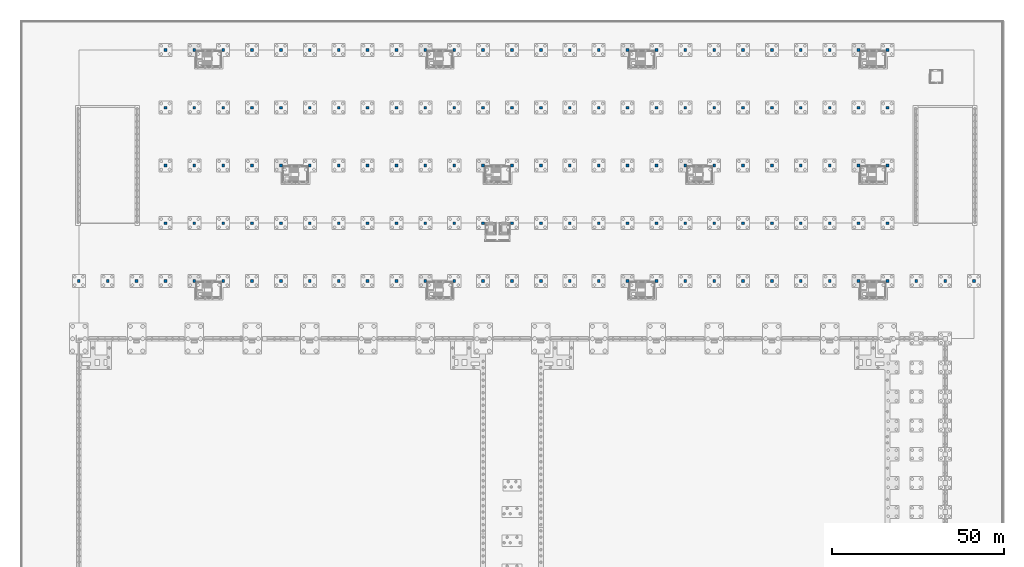
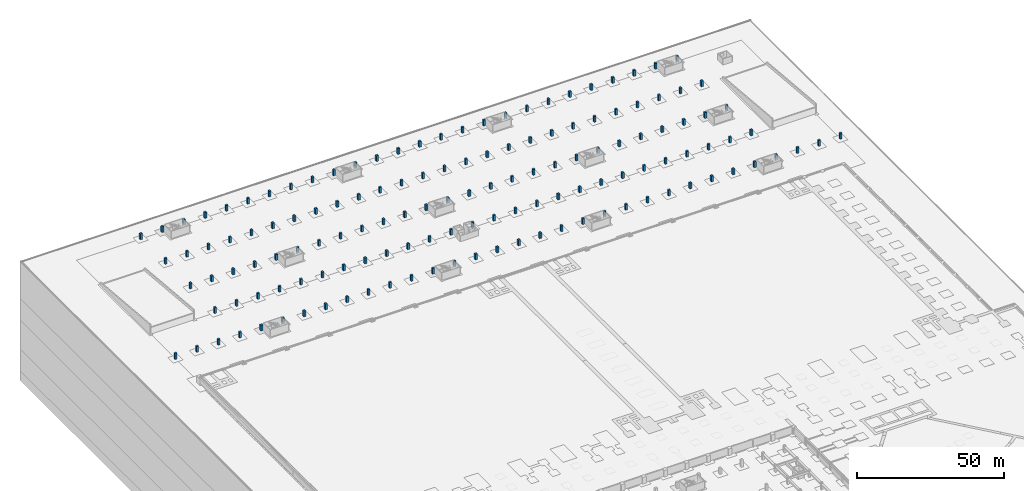
# One storey, part 27 of 67: 136 columns.
"""IFC4 building model written with IfcOpenShell, lengths in metres."""

import ifcopenshell
import ifcopenshell.guid

model = None  # the IFC model being written
_history = None  # IfcOwnerHistory: only IFC2X3 demands one
_inside = {}  # id of a spatial element -> (the spatial element, [elements in it])
_under = {}  # id of a project, library or spatial element -> (it, [spatial elements below it])
_declared = {}  # id of a project -> (the project, [libraries it declares])
_typed = {}  # id of a type object -> (the type object, [elements of that type])
_made_of = {}  # id of a material, layer set ... -> (it, [elements and type objects made of it])


def new_model(schema):
    """Start an empty IFC model of exactly this schema.

    Asked for "IFC4X3", IfcOpenShell would pick the latest addendum, in which some entities
    have other attributes; the version numbers below select the first issue.
    IFC2X3 requires an IfcOwnerHistory on every rooted entity: one is made here for all.
    """
    global model, _history
    if schema == "IFC4X3":
        model = ifcopenshell.file(schema_version=(4, 3, 0, 0))
    else:
        model = ifcopenshell.file(schema=schema)
    _inside.clear()
    _under.clear()
    _declared.clear()
    _typed.clear()
    _made_of.clear()
    _history = None
    if model.schema == "IFC2X3":
        org = make("IfcOrganization", Name="unknown")
        user = make(
            "IfcPersonAndOrganization",
            ThePerson=make("IfcPerson", FamilyName="unknown"),
            TheOrganization=org,
        )
        app = make(
            "IfcApplication",
            ApplicationDeveloper=org,
            Version="unknown",
            ApplicationFullName="unknown",
            ApplicationIdentifier="unknown",
        )
        _history = make(
            "IfcOwnerHistory",
            OwningUser=user,
            OwningApplication=app,
            ChangeAction="ADDED",
            CreationDate=0,
        )
    return model


def make(cls, **values):
    """One entity of the class cls with the attributes given. An attribute that is None is left unset."""
    return model.create_entity(
        cls, **{name: value for name, value in values.items() if value is not None}
    )


def rooted(cls, **values):
    """An entity with a GlobalId (a new one), such as an element, a storey or a relation."""
    return make(cls, GlobalId=ifcopenshell.guid.new(), OwnerHistory=_history, **values)


def si_unit(unit_type, name, prefix=None):
    """IfcSIUnit, for example si_unit("LENGTHUNIT", "METRE", prefix="MILLI")."""
    return make("IfcSIUnit", UnitType=unit_type, Prefix=prefix, Name=name)


def assignment(units):
    """IfcUnitAssignment: the units of a project."""
    return None if units is None else make("IfcUnitAssignment", Units=units)


def point(xyz):
    """IfcCartesianPoint."""
    return None if xyz is None else make("IfcCartesianPoint", Coordinates=xyz)


def direction(xyz):
    """IfcDirection."""
    return None if xyz is None else make("IfcDirection", DirectionRatios=xyz)


def frame(location, z_axis=None, x_axis=None):
    """IfcAxis2Placement3D, a coordinate frame: its origin and axes. An axis left out is left unset."""
    return make(
        "IfcAxis2Placement3D",
        Location=point(location),
        Axis=direction(z_axis),
        RefDirection=direction(x_axis),
    )


def frame_2d(location, x_axis=None):
    """IfcAxis2Placement2D, a coordinate frame in the plane: its origin and x axis."""
    return make(
        "IfcAxis2Placement2D", Location=point(location), RefDirection=direction(x_axis)
    )


def origin():
    """The frame at (0, 0, 0) with its axes left unset."""
    return frame((0.0, 0.0, 0.0))


def origin_2d():
    """The frame at (0, 0) in the plane with its x axis left unset."""
    return frame_2d((0.0, 0.0))


def place(relative_to, where):
    """IfcLocalPlacement: puts the frame where relative to a parent placement (None: the world)."""
    return make(
        "IfcLocalPlacement", PlacementRelTo=relative_to, RelativePlacement=where
    )


def context(
    kind, dimensions, precision=None, world=None, true_north=None, identifier=None
):
    """IfcGeometricRepresentationContext, for example the 3D "Model" context."""
    return make(
        "IfcGeometricRepresentationContext",
        ContextIdentifier=identifier,
        ContextType=kind,
        CoordinateSpaceDimension=dimensions,
        Precision=precision,
        WorldCoordinateSystem=world,
        TrueNorth=true_north,
    )


def subcontext(parent, identifier, kind, view, scale=None):
    """IfcGeometricRepresentationSubContext, for example "Body" below "Model"."""
    return make(
        "IfcGeometricRepresentationSubContext",
        ContextIdentifier=identifier,
        ContextType=kind,
        ParentContext=parent,
        TargetScale=scale,
        TargetView=view,
    )


def project(units=None, contexts=None):
    """IfcProject with its units and contexts."""
    return rooted(
        "IfcProject",
        Name="project",
        RepresentationContexts=contexts,
        UnitsInContext=assignment(units),
    )


def spatial(cls, under=None, at=None, **own):
    """A site, building, storey or space (cls), placed at a placement, below another one or the project."""
    s = rooted(cls, ObjectPlacement=at, **own)
    if under is not None:
        _under.setdefault(under.id(), (under, []))[1].append(s)
    return s


def profile(cls, at=None, kind="AREA", **sizes):
    """A parametric profile (cls). Its sizes go by their IFC names, for example OverallWidth=200.0."""
    return make(cls, ProfileType=kind, Position=at, **sizes)


def rectangle(**sizes):
    """IfcRectangleProfileDef."""
    return profile("IfcRectangleProfileDef", **sizes)


def extrude(swept, where, along, depth):
    """IfcExtrudedAreaSolid: the profile swept, set in the frame where, extruded along a direction by depth."""
    return make(
        "IfcExtrudedAreaSolid",
        SweptArea=swept,
        Position=where,
        ExtrudedDirection=direction(along),
        Depth=depth,
    )


def shape(context_of_items, identifier, shape_type, items):
    """IfcShapeRepresentation: the items that make up one representation, for example the "Body"."""
    return make(
        "IfcShapeRepresentation",
        ContextOfItems=context_of_items,
        RepresentationIdentifier=identifier,
        RepresentationType=shape_type,
        Items=items,
    )


def material(Name=None, Category=None):
    """IfcMaterial."""
    return make("IfcMaterial", Name=Name, Category=Category)


def material_profile(
    of_material, cross_section, Name=None, Category=None, Priority=None
):
    """IfcMaterialProfile: a cross section and its material."""
    return make(
        "IfcMaterialProfile",
        Name=Name,
        Material=of_material,
        Profile=cross_section,
        Priority=Priority,
        Category=Category,
    )


def profile_set(profiles, Name=None, composite=None):
    """IfcMaterialProfileSet."""
    return make(
        "IfcMaterialProfileSet",
        Name=Name,
        MaterialProfiles=profiles,
        CompositeProfile=composite,
    )


def made_of(thing, what):
    """Note that an element or type object is made of a material, layer set ...; save() writes the relation."""
    if what is not None:
        _made_of.setdefault(what.id(), (what, []))[1].append(thing)
    return thing


def type_object(cls, material=None, **own):
    """A type object (cls), such as IfcWallType, which elements share."""
    return made_of(rooted(cls, **own), material)


def element(
    cls,
    number,
    at=None,
    inside=None,
    cuts=None,
    type_object=None,
    material=None,
    context=None,
    identifier="Body",
    shape_type=None,
    held_by="IfcProductDefinitionShape",
    body=None,
    shapes=None,
    **own,
):
    """One element of the class cls, such as IfcWall. Its Tag is "e" and its number.

    at: its placement. inside: the storey or other place that contains it. cuts: it is an
    opening in that element (IfcRelVoidsElement). A single representation is given by context,
    identifier, shape_type and body (its items); several are given by shapes. held_by: the class
    of the entity that holds the representations. save() writes the other relations.
    """
    e = rooted(cls, Tag="e%d" % number, ObjectPlacement=at, **own)
    if body is not None:
        shapes = [shape(context, identifier, shape_type, body)]
    if shapes is not None:
        e.Representation = make(held_by, Representations=shapes)
    if inside is not None:
        _inside.setdefault(inside.id(), (inside, []))[1].append(e)
    if cuts is not None:
        rooted(
            "IfcRelVoidsElement", RelatingBuildingElement=cuts, RelatedOpeningElement=e
        )
    if type_object is not None:
        _typed.setdefault(type_object.id(), (type_object, []))[1].append(e)
    return made_of(e, material)


def aggregate(whole, parts):
    """IfcRelAggregates: a whole, such as a stair, and the parts it consists of."""
    return rooted("IfcRelAggregates", RelatingObject=whole, RelatedObjects=parts)


def save(model, path):
    """Write the relations noted so far, then the file.

    IfcRelAggregates (storeys below a building ...), IfcRelContainedInSpatialStructure (elements
    in a storey), IfcRelDefinesByType, IfcRelAssociatesMaterial and IfcRelDeclares: one each for
    every whole, place, type object, material and project.
    """
    for whole, parts in _under.values():
        aggregate(whole, parts)
    for where, things in _inside.values():
        rooted(
            "IfcRelContainedInSpatialStructure",
            RelatedElements=things,
            RelatingStructure=where,
        )
    for kind, things in _typed.values():
        rooted("IfcRelDefinesByType", RelatedObjects=things, RelatingType=kind)
    for what, things in _made_of.values():
        rooted("IfcRelAssociatesMaterial", RelatedObjects=things, RelatingMaterial=what)
    for by, libraries in _declared.values():
        rooted("IfcRelDeclares", RelatingContext=by, RelatedDefinitions=libraries)
    model.write(path)


model = new_model("IFC4")

# Units and contexts
model_context = context("Model", 3, precision=1e-05, world=origin(), true_north=direction((0.0, 1.0)))
body_context = subcontext(model_context, "Body", "Model", "MODEL_VIEW")
ifc_project = project(units=[si_unit("LENGTHUNIT", "METRE"), si_unit("AREAUNIT", "SQUARE_METRE"), si_unit("VOLUMEUNIT", "CUBIC_METRE"), si_unit("PLANEANGLEUNIT", "RADIAN"), si_unit("MASSUNIT", "GRAM", prefix="KILO")], contexts=[model_context])

# Site, building, storey
site_placement = place(None, origin())
site = spatial("IfcSite", under=ifc_project, at=site_placement, CompositionType="ELEMENT")
building_placement = place(site_placement, origin())
building = spatial("IfcBuilding", under=site, at=building_placement, Name="Rain Tree Exposition and Congress Centre", CompositionType="ELEMENT")
storey_placement = place(building_placement, frame((0.0, 0.0, -3.0)))
storey = spatial("IfcBuildingStorey", under=building, at=storey_placement, Name="B1", CompositionType="ELEMENT", Elevation=-3.0)

# Columns
ifc_material = material(Name="Precast concrete C50/60", Category="concrete")
ifc_material_profile = material_profile(ifc_material, rectangle(XDim=0.800048828125, YDim=0.800048828125, at=origin_2d()), Name="RC 800x800")
ifc_profile_set = profile_set([ifc_material_profile], Name="Precast concrete C50/60")
column_type = type_object("IfcColumnType", Name="Precast column 800x800", PredefinedType="COLUMN", material=ifc_profile_set)
for number, where, z_axis, x_axis, name in (
    (1, (8.39990234375, 218.39990234375, 0.0), (0.0, 0.0, 1.0), (1.0, 0.0, 0.0), "Column N001"),
    (2, (16.800048828125, 218.39990234375, 0.0), (0.0, 0.0, 1.0), (1.0, 0.0, 0.0), "Column N002"),
    (3, (25.199951171875, 218.39990234375, 0.0), (0.0, 0.0, 1.0), (1.0, 0.0, 0.0), "Column N003"),
    (4, (33.60009765625, 218.39990234375, 0.0), (0.0, 0.0, 1.0), (1.0, 0.0, 0.0), "Column N004"),
    (5, (42.0, 218.39990234375, 0.0), (0.0, 0.0, 1.0), (1.0, 0.0, 0.0), "Column N005"),
    (6, (50.39990234375, 218.39990234375, 0.0), (0.0, 0.0, 1.0), (1.0, 0.0, 0.0), "Column N006"),
    (7, (58.800048828125, 218.39990234375, 0.0), (0.0, 0.0, 1.0), (1.0, 0.0, 0.0), "Column N007"),
    (8, (67.199951171875, 218.39990234375, 0.0), (0.0, 0.0, 1.0), (1.0, 0.0, 0.0), "Column N008"),
    (9, (75.60009765625, 218.39990234375, 0.0), (0.0, 0.0, 1.0), (1.0, 0.0, 0.0), "Column N009"),
    (10, (84.0, 218.39990234375, 0.0), (0.0, 0.0, 1.0), (1.0, 0.0, 0.0), "Column N010"),
    (11, (92.39990234375, 218.39990234375, 0.0), (0.0, 0.0, 1.0), (1.0, 0.0, 0.0), "Column N011"),
    (12, (100.800048828125, 218.39990234375, 0.0), (0.0, 0.0, 1.0), (1.0, 0.0, 0.0), "Column N012"),
    (13, (109.199951171875, 218.39990234375, 0.0), (0.0, 0.0, 1.0), (1.0, 0.0, 0.0), "Column N013"),
    (14, (117.60009765625, 218.39990234375, 0.0), (0.0, 0.0, 1.0), (1.0, 0.0, 0.0), "Column N014"),
    (15, (126.0, 218.39990234375, 0.0), (0.0, 0.0, 1.0), (1.0, 0.0, 0.0), "Column N015"),
    (16, (134.39990234375, 218.39990234375, 0.0), (0.0, 0.0, 1.0), (1.0, 0.0, 0.0), "Column N016"),
    (17, (142.800048828125, 218.39990234375, 0.0), (0.0, 0.0, 1.0), (1.0, 0.0, 0.0), "Column N017"),
    (18, (151.199951171875, 218.39990234375, 0.0), (0.0, 0.0, 1.0), (1.0, 0.0, 0.0), "Column N018"),
    (19, (159.60009765625, 218.39990234375, 0.0), (0.0, 0.0, 1.0), (1.0, 0.0, 0.0), "Column N019"),
    (20, (168.0, 218.39990234375, 0.0), (0.0, 0.0, 1.0), (1.0, 0.0, 0.0), "Column N020"),
    (21, (176.39990234375, 218.39990234375, 0.0), (0.0, 0.0, 1.0), (1.0, 0.0, 0.0), "Column N021"),
    (22, (184.800048828125, 218.39990234375, 0.0), (0.0, 0.0, 1.0), (1.0, 0.0, 0.0), "Column N022"),
    (23, (193.199951171875, 218.39990234375, 0.0), (0.0, 0.0, 1.0), (1.0, 0.0, 0.0), "Column N023"),
    (24, (201.60009765625, 218.39990234375, 0.0), (0.0, 0.0, 1.0), (1.0, 0.0, 0.0), "Column N024"),
    (25, (210.0, 218.39990234375, 0.0), (0.0, 0.0, 1.0), (1.0, 0.0, 0.0), "Column N025"),
    (26, (218.39990234375, 218.39990234375, 0.0), (0.0, 0.0, 1.0), (1.0, 0.0, 0.0), "Column N026"),
    (27, (226.800048828125, 218.39990234375, 0.0), (0.0, 0.0, 1.0), (1.0, 0.0, 0.0), "Column N027"),
    (28, (235.199951171875, 218.39990234375, 0.0), (0.0, 0.0, 1.0), (1.0, 0.0, 0.0), "Column N028"),
    (29, (243.60009765625, 218.39990234375, 0.0), (0.0, 0.0, 1.0), (1.0, 0.0, 0.0), "Column N029"),
    (30, (252.0, 218.39990234375, 0.0), (0.0, 0.0, 1.0), (1.0, 0.0, 0.0), "Column N030"),
    (31, (260.39990234375, 218.39990234375, 0.0), (0.0, 0.0, 1.0), (1.0, 0.0, 0.0), "Column N031"),
    (32, (268.800048828125, 218.39990234375, 0.0), (0.0, 0.0, 1.0), (1.0, 0.0, 0.0), "Column N032"),
    (33, (33.60009765625, 235.199951171875, 0.0), (0.0, 0.0, 1.0), (1.0, 0.0, 0.0), "Column N033"),
    (34, (42.0, 235.199951171875, 0.0), (0.0, 0.0, 1.0), (1.0, 0.0, 0.0), "Column N034"),
    (35, (50.39990234375, 235.199951171875, 0.0), (0.0, 0.0, 1.0), (1.0, 0.0, 0.0), "Column N035"),
    (36, (58.800048828125, 235.199951171875, 0.0), (0.0, 0.0, 1.0), (1.0, 0.0, 0.0), "Column N036"),
    (37, (67.199951171875, 235.199951171875, 0.0), (0.0, 0.0, 1.0), (1.0, 0.0, 0.0), "Column N037"),
    (38, (75.60009765625, 235.199951171875, 0.0), (0.0, 0.0, 1.0), (1.0, 0.0, 0.0), "Column N038"),
    (39, (84.0, 235.199951171875, 0.0), (0.0, 0.0, 1.0), (1.0, 0.0, 0.0), "Column N039"),
    (40, (92.39990234375, 235.199951171875, 0.0), (0.0, 0.0, 1.0), (1.0, 0.0, 0.0), "Column N040"),
    (41, (100.800048828125, 235.199951171875, 0.0), (0.0, 0.0, 1.0), (1.0, 0.0, 0.0), "Column N041"),
    (42, (109.199951171875, 235.199951171875, 0.0), (0.0, 0.0, 1.0), (1.0, 0.0, 0.0), "Column N042"),
    (43, (117.60009765625, 235.199951171875, 0.0), (0.0, 0.0, 1.0), (1.0, 0.0, 0.0), "Column N043"),
    (44, (126.0, 235.199951171875, 0.0), (0.0, 0.0, 1.0), (1.0, 0.0, 0.0), "Column N044"),
    (45, (134.39990234375, 235.199951171875, 0.0), (0.0, 0.0, 1.0), (1.0, 0.0, 0.0), "Column N045"),
    (46, (142.800048828125, 235.199951171875, 0.0), (0.0, 0.0, 1.0), (1.0, 0.0, 0.0), "Column N046"),
    (47, (151.199951171875, 235.199951171875, 0.0), (0.0, 0.0, 1.0), (1.0, 0.0, 0.0), "Column N047"),
    (48, (159.60009765625, 235.199951171875, 0.0), (0.0, 0.0, 1.0), (1.0, 0.0, 0.0), "Column N048"),
    (49, (168.0, 235.199951171875, 0.0), (0.0, 0.0, 1.0), (1.0, 0.0, 0.0), "Column N049"),
    (50, (176.39990234375, 235.199951171875, 0.0), (0.0, 0.0, 1.0), (1.0, 0.0, 0.0), "Column N050"),
    (51, (184.800048828125, 235.199951171875, 0.0), (0.0, 0.0, 1.0), (1.0, 0.0, 0.0), "Column N051"),
    (52, (193.199951171875, 235.199951171875, 0.0), (0.0, 0.0, 1.0), (1.0, 0.0, 0.0), "Column N052"),
    (53, (201.60009765625, 235.199951171875, 0.0), (0.0, 0.0, 1.0), (1.0, 0.0, 0.0), "Column N053"),
    (54, (210.0, 235.199951171875, 0.0), (0.0, 0.0, 1.0), (1.0, 0.0, 0.0), "Column N054"),
    (55, (218.39990234375, 235.199951171875, 0.0), (0.0, 0.0, 1.0), (1.0, 0.0, 0.0), "Column N055"),
    (56, (226.800048828125, 235.199951171875, 0.0), (0.0, 0.0, 1.0), (1.0, 0.0, 0.0), "Column N056"),
    (57, (235.199951171875, 235.199951171875, 0.0), (0.0, 0.0, 1.0), (1.0, 0.0, 0.0), "Column N057"),
    (58, (243.60009765625, 235.199951171875, 0.0), (0.0, 0.0, 1.0), (1.0, 0.0, 0.0), "Column N058"),
    (59, (33.60009765625, 252.0, 0.0), (0.0, 0.0, 1.0), (1.0, 0.0, 0.0), "Column N059"),
    (60, (42.0, 252.0, 0.0), (0.0, 0.0, 1.0), (1.0, 0.0, 0.0), "Column N060"),
    (61, (50.39990234375, 252.0, 0.0), (0.0, 0.0, 1.0), (1.0, 0.0, 0.0), "Column N061"),
    (62, (58.800048828125, 252.0, 0.0), (0.0, 0.0, 1.0), (1.0, 0.0, 0.0), "Column N062"),
    (63, (67.199951171875, 252.0, 0.0), (0.0, 0.0, 1.0), (1.0, 0.0, 0.0), "Column N063"),
    (64, (75.60009765625, 252.0, 0.0), (0.0, 0.0, 1.0), (1.0, 0.0, 0.0), "Column N064"),
    (65, (84.0, 252.0, 0.0), (0.0, 0.0, 1.0), (1.0, 0.0, 0.0), "Column N065"),
    (66, (92.39990234375, 252.0, 0.0), (0.0, 0.0, 1.0), (1.0, 0.0, 0.0), "Column N066"),
    (67, (100.800048828125, 252.0, 0.0), (0.0, 0.0, 1.0), (1.0, 0.0, 0.0), "Column N067"),
    (68, (109.199951171875, 252.0, 0.0), (0.0, 0.0, 1.0), (1.0, 0.0, 0.0), "Column N068"),
    (69, (117.60009765625, 252.0, 0.0), (0.0, 0.0, 1.0), (1.0, 0.0, 0.0), "Column N069"),
    (70, (126.0, 252.0, 0.0), (0.0, 0.0, 1.0), (1.0, 0.0, 0.0), "Column N070"),
    (71, (134.39990234375, 252.0, 0.0), (0.0, 0.0, 1.0), (1.0, 0.0, 0.0), "Column N071"),
    (72, (142.800048828125, 252.0, 0.0), (0.0, 0.0, 1.0), (1.0, 0.0, 0.0), "Column N072"),
    (73, (151.199951171875, 252.0, 0.0), (0.0, 0.0, 1.0), (1.0, 0.0, 0.0), "Column N073"),
    (74, (159.60009765625, 252.0, 0.0), (0.0, 0.0, 1.0), (1.0, 0.0, 0.0), "Column N074"),
    (75, (168.0, 252.0, 0.0), (0.0, 0.0, 1.0), (1.0, 0.0, 0.0), "Column N075"),
    (76, (176.39990234375, 252.0, 0.0), (0.0, 0.0, 1.0), (1.0, 0.0, 0.0), "Column N076"),
    (77, (184.800048828125, 252.0, 0.0), (0.0, 0.0, 1.0), (1.0, 0.0, 0.0), "Column N077"),
    (78, (193.199951171875, 252.0, 0.0), (0.0, 0.0, 1.0), (1.0, 0.0, 0.0), "Column N078"),
    (79, (201.60009765625, 252.0, 0.0), (0.0, 0.0, 1.0), (1.0, 0.0, 0.0), "Column N079"),
    (80, (210.0, 252.0, 0.0), (0.0, 0.0, 1.0), (1.0, 0.0, 0.0), "Column N080"),
    (81, (218.39990234375, 252.0, 0.0), (0.0, 0.0, 1.0), (1.0, 0.0, 0.0), "Column N081"),
    (82, (226.800048828125, 252.0, 0.0), (0.0, 0.0, 1.0), (1.0, 0.0, 0.0), "Column N082"),
    (83, (235.199951171875, 252.0, 0.0), (0.0, 0.0, 1.0), (1.0, 0.0, 0.0), "Column N083"),
    (84, (243.60009765625, 252.0, 0.0), (0.0, 0.0, 1.0), (1.0, 0.0, 0.0), "Column N084"),
    (85, (33.60009765625, 268.800048828125, 0.0), (0.0, 0.0, 1.0), (1.0, 0.0, 0.0), "Column N085"),
    (86, (42.0, 268.800048828125, 0.0), (0.0, 0.0, 1.0), (1.0, 0.0, 0.0), "Column N086"),
    (87, (50.39990234375, 268.800048828125, 0.0), (0.0, 0.0, 1.0), (1.0, 0.0, 0.0), "Column N087"),
    (88, (58.800048828125, 268.800048828125, 0.0), (0.0, 0.0, 1.0), (1.0, 0.0, 0.0), "Column N088"),
    (89, (67.199951171875, 268.800048828125, 0.0), (0.0, 0.0, 1.0), (1.0, 0.0, 0.0), "Column N089"),
    (90, (75.60009765625, 268.800048828125, 0.0), (0.0, 0.0, 1.0), (1.0, 0.0, 0.0), "Column N090"),
    (91, (84.0, 268.800048828125, 0.0), (0.0, 0.0, 1.0), (1.0, 0.0, 0.0), "Column N091"),
    (92, (92.39990234375, 268.800048828125, 0.0), (0.0, 0.0, 1.0), (1.0, 0.0, 0.0), "Column N092"),
    (93, (100.800048828125, 268.800048828125, 0.0), (0.0, 0.0, 1.0), (1.0, 0.0, 0.0), "Column N093"),
    (94, (109.199951171875, 268.800048828125, 0.0), (0.0, 0.0, 1.0), (1.0, 0.0, 0.0), "Column N094"),
    (95, (117.60009765625, 268.800048828125, 0.0), (0.0, 0.0, 1.0), (1.0, 0.0, 0.0), "Column N095"),
    (96, (126.0, 268.800048828125, 0.0), (0.0, 0.0, 1.0), (1.0, 0.0, 0.0), "Column N096"),
    (97, (134.39990234375, 268.800048828125, 0.0), (0.0, 0.0, 1.0), (1.0, 0.0, 0.0), "Column N097"),
    (98, (142.800048828125, 268.800048828125, 0.0), (0.0, 0.0, 1.0), (1.0, 0.0, 0.0), "Column N098"),
    (99, (151.199951171875, 268.800048828125, 0.0), (0.0, 0.0, 1.0), (1.0, 0.0, 0.0), "Column N099"),
    (100, (159.60009765625, 268.800048828125, 0.0), (0.0, 0.0, 1.0), (1.0, 0.0, 0.0), "Column N100"),
    (101, (168.0, 268.800048828125, 0.0), (0.0, 0.0, 1.0), (1.0, 0.0, 0.0), "Column N101"),
    (102, (176.39990234375, 268.800048828125, 0.0), (0.0, 0.0, 1.0), (1.0, 0.0, 0.0), "Column N102"),
    (103, (184.800048828125, 268.800048828125, 0.0), (0.0, 0.0, 1.0), (1.0, 0.0, 0.0), "Column N103"),
    (104, (193.199951171875, 268.800048828125, 0.0), (0.0, 0.0, 1.0), (1.0, 0.0, 0.0), "Column N104"),
    (105, (201.60009765625, 268.800048828125, 0.0), (0.0, 0.0, 1.0), (1.0, 0.0, 0.0), "Column N105"),
    (106, (210.0, 268.800048828125, 0.0), (0.0, 0.0, 1.0), (1.0, 0.0, 0.0), "Column N106"),
    (107, (218.39990234375, 268.800048828125, 0.0), (0.0, 0.0, 1.0), (1.0, 0.0, 0.0), "Column N107"),
    (108, (226.800048828125, 268.800048828125, 0.0), (0.0, 0.0, 1.0), (1.0, 0.0, 0.0), "Column N108"),
    (109, (235.199951171875, 268.800048828125, 0.0), (0.0, 0.0, 1.0), (1.0, 0.0, 0.0), "Column N109"),
    (110, (243.60009765625, 268.800048828125, 0.0), (0.0, 0.0, 1.0), (1.0, 0.0, 0.0), "Column N110"),
    (111, (33.60009765625, 285.60009765625, 0.0), (0.0, 0.0, 1.0), (1.0, 0.0, 0.0), "Column N111"),
    (112, (42.0, 285.60009765625, 0.0), (0.0, 0.0, 1.0), (1.0, 0.0, 0.0), "Column N112"),
    (113, (50.39990234375, 285.60009765625, 0.0), (0.0, 0.0, 1.0), (1.0, 0.0, 0.0), "Column N113"),
    (114, (58.800048828125, 285.60009765625, 0.0), (0.0, 0.0, 1.0), (1.0, 0.0, 0.0), "Column N114"),
    (115, (67.199951171875, 285.60009765625, 0.0), (0.0, 0.0, 1.0), (1.0, 0.0, 0.0), "Column N115"),
    (116, (75.60009765625, 285.60009765625, 0.0), (0.0, 0.0, 1.0), (1.0, 0.0, 0.0), "Column N116"),
    (117, (84.0, 285.60009765625, 0.0), (0.0, 0.0, 1.0), (1.0, 0.0, 0.0), "Column N117"),
    (118, (92.39990234375, 285.60009765625, 0.0), (0.0, 0.0, 1.0), (1.0, 0.0, 0.0), "Column N118"),
    (119, (100.800048828125, 285.60009765625, 0.0), (0.0, 0.0, 1.0), (1.0, 0.0, 0.0), "Column N119"),
    (120, (109.199951171875, 285.60009765625, 0.0), (0.0, 0.0, 1.0), (1.0, 0.0, 0.0), "Column N120"),
    (121, (117.60009765625, 285.60009765625, 0.0), (0.0, 0.0, 1.0), (1.0, 0.0, 0.0), "Column N121"),
    (122, (126.0, 285.60009765625, 0.0), (0.0, 0.0, 1.0), (1.0, 0.0, 0.0), "Column N122"),
    (123, (134.39990234375, 285.60009765625, 0.0), (0.0, 0.0, 1.0), (1.0, 0.0, 0.0), "Column N123"),
    (124, (142.800048828125, 285.60009765625, 0.0), (0.0, 0.0, 1.0), (1.0, 0.0, 0.0), "Column N124"),
    (125, (151.199951171875, 285.60009765625, 0.0), (0.0, 0.0, 1.0), (1.0, 0.0, 0.0), "Column N125"),
    (126, (159.60009765625, 285.60009765625, 0.0), (0.0, 0.0, 1.0), (1.0, 0.0, 0.0), "Column N126"),
    (127, (168.0, 285.60009765625, 0.0), (0.0, 0.0, 1.0), (1.0, 0.0, 0.0), "Column N127"),
    (128, (176.39990234375, 285.60009765625, 0.0), (0.0, 0.0, 1.0), (1.0, 0.0, 0.0), "Column N128"),
    (129, (184.800048828125, 285.60009765625, 0.0), (0.0, 0.0, 1.0), (1.0, 0.0, 0.0), "Column N129"),
    (130, (193.199951171875, 285.60009765625, 0.0), (0.0, 0.0, 1.0), (1.0, 0.0, 0.0), "Column N130"),
    (131, (201.60009765625, 285.60009765625, 0.0), (0.0, 0.0, 1.0), (1.0, 0.0, 0.0), "Column N131"),
    (132, (210.0, 285.60009765625, 0.0), (0.0, 0.0, 1.0), (1.0, 0.0, 0.0), "Column N132"),
    (133, (218.39990234375, 285.60009765625, 0.0), (0.0, 0.0, 1.0), (1.0, 0.0, 0.0), "Column N133"),
    (134, (226.800048828125, 285.60009765625, 0.0), (0.0, 0.0, 1.0), (1.0, 0.0, 0.0), "Column N134"),
    (135, (235.199951171875, 285.60009765625, 0.0), (0.0, 0.0, 1.0), (1.0, 0.0, 0.0), "Column N135"),
    (136, (243.60009765625, 285.60009765625, 0.0), (0.0, 0.0, 1.0), (1.0, 0.0, 0.0), "Column N136"),
):
    element("IfcColumn", number, at=place(storey_placement, frame(where, z_axis=z_axis, x_axis=x_axis)), inside=storey, type_object=column_type, Name=name, PredefinedType="COLUMN", context=body_context, shape_type="SweptSolid", body=[
        extrude(rectangle(XDim=0.800048828125, YDim=0.800048828125, at=origin_2d()), origin(), (0.0, 0.0, 1.0), 2.39990234375),
    ])

save(model, "model.ifc")
